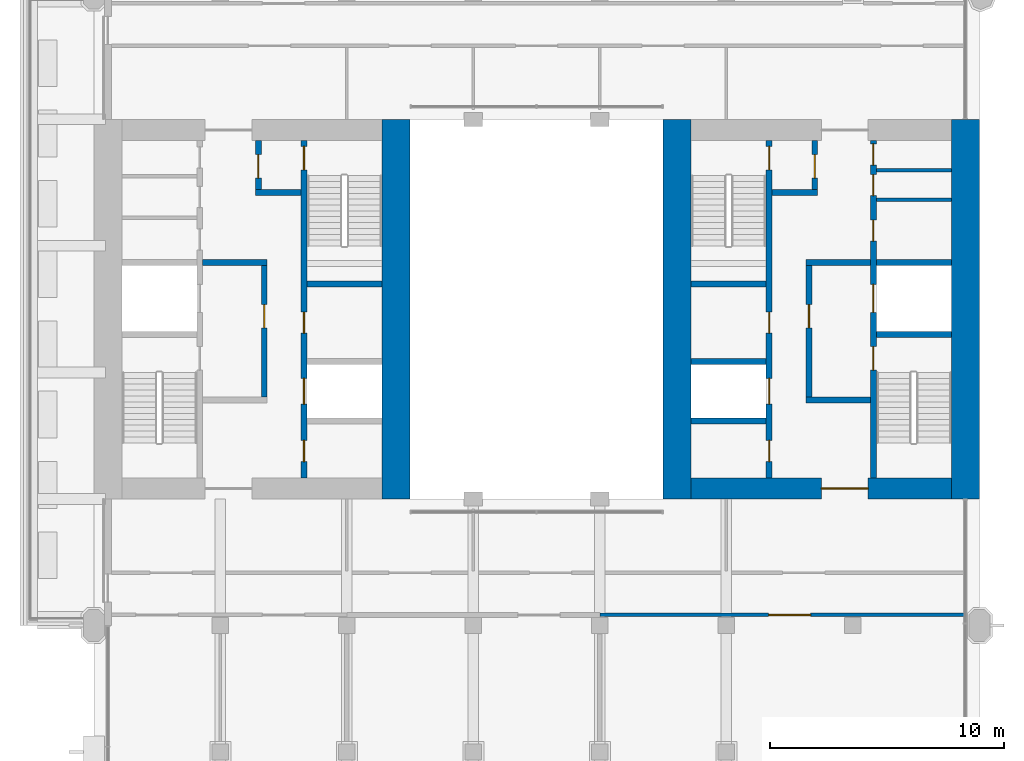
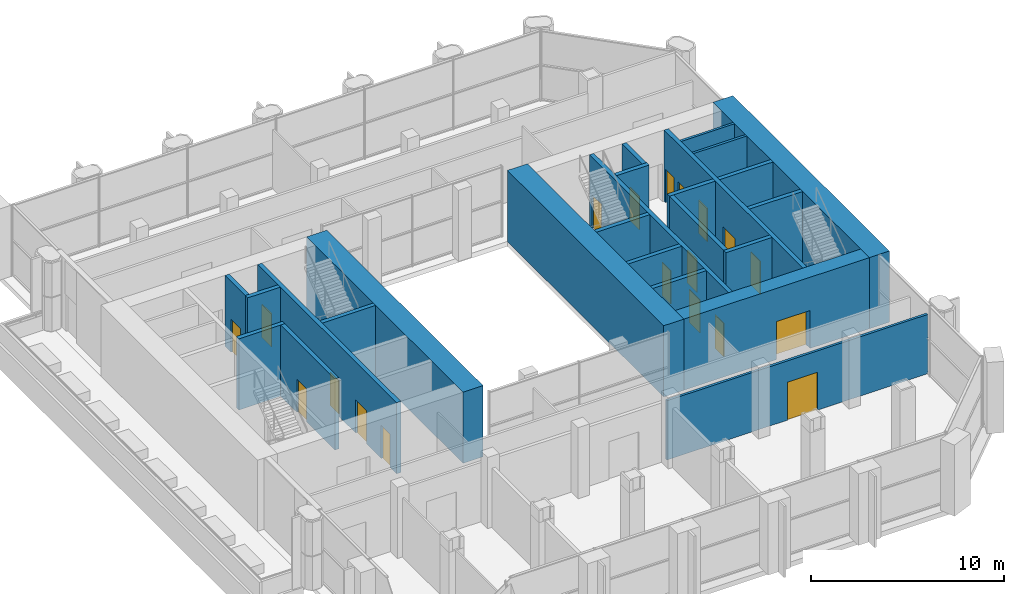
# One storey, part 10 of 14: 25 walls, 19 doors, 19 openings.
"""IFC4 building model written with IfcOpenShell, lengths in metres."""

from ifc_helpers import new_model, si_unit, direction, frame, frame_2d, origin, place, context, subcontext, project, spatial, rectangle, extrude, material, layer, layer_set, type_object, element, fill, save


model = new_model("IFC4")

# Units and contexts
model_context = context("Model", 3, precision=1e-05, world=origin(), true_north=direction((0.0, 1.0)))
body_context = subcontext(model_context, "Body", "Model", "MODEL_VIEW")
ifc_project = project(units=[si_unit("LENGTHUNIT", "METRE"), si_unit("AREAUNIT", "SQUARE_METRE"), si_unit("VOLUMEUNIT", "CUBIC_METRE"), si_unit("PLANEANGLEUNIT", "RADIAN"), si_unit("MASSUNIT", "GRAM", prefix="KILO")], contexts=[model_context])

# Site, building, storey
site_placement = place(None, origin())
site = spatial("IfcSite", under=ifc_project, at=site_placement, CompositionType="ELEMENT")
building_placement = place(site_placement, origin())
building = spatial("IfcBuilding", under=site, at=building_placement, Name="Tabaq Tower and Sports Hall", CompositionType="ELEMENT")
storey_placement = place(building_placement, frame((0.0, 0.0, 250.89990234375)))
storey = spatial("IfcBuildingStorey", under=building, at=storey_placement, Name="L61", CompositionType="ELEMENT", Elevation=250.89990234375)

# Walls
ifc_material_1 = material(Name="Blockwork", Category="masonry")
ifc_layer_1 = layer(ifc_material_1, 0.14990234375)
ifc_layer_set_1 = layer_set([ifc_layer_1], Name="Core room partition 150 Blockwork")
wall_type_1 = type_object("IfcWallType", Name="Core room partition 150 Blockwork", PredefinedType="PARTITIONING", material=ifc_layer_set_1)
for number, where, z_axis, x_axis, name in (
    (1, (38.800048828125, 28.962890625, 0.0), (0.0, 0.0, 1.0), (1.0, 0.0, 0.0), "Core room partition E L61"),
    (2, (38.800048828125, 30.23193359375, 0.0), (0.0, 0.0, 1.0), (1.0, 0.0, 0.0), "Core room partition E L61"),
):
    element("IfcWall", number, at=place(storey_placement, frame(where, z_axis=z_axis, x_axis=x_axis)), inside=storey, type_object=wall_type_1, Name=name, PredefinedType="PARTITIONING", context=body_context, shape_type="SweptSolid", body=[
        extrude(rectangle(XDim=3.199951171875, YDim=0.14990234375, at=frame_2d((1.60009765625, 0.0))), origin(), (0.0, 0.0, 1.0), 4.5),
    ])
ifc_material_2 = material(Name="Concrete C40/50", Category="concrete")
ifc_layer_2 = layer(ifc_material_2, 1.199951171875)
ifc_layer_set_2 = layer_set([ifc_layer_2], Name="Core wall 1200 Concrete C40/50")
wall_type_2 = type_object("IfcWallType", Name="Core wall 1200 Concrete C40/50", PredefinedType="SOLIDWALL", material=ifc_layer_set_2)
for number, where, z_axis, x_axis, name in (
    (3, (18.300048828125, 32.39990234375, 0.0), (0.0, 0.0, 1.0), (0.0, -1.0, 0.0), "Core wall W L61"),
    (4, (42.60009765625, 32.39990234375, 0.0), (0.0, 0.0, 1.0), (0.0, -1.0, 0.0), "Core wall E L61"),
    (5, (30.300048828125, 16.199951171875, 0.0), (0.0, 0.0, 1.0), (0.0, 1.0, 0.0), "Core wall E L61"),
):
    element("IfcWall", number, at=place(storey_placement, frame(where, z_axis=z_axis, x_axis=x_axis)), inside=storey, type_object=wall_type_2, Name=name, PredefinedType="SOLIDWALL", context=body_context, shape_type="SweptSolid", body=[
        extrude(rectangle(XDim=16.199951171875, YDim=1.199951171875, at=frame_2d((8.10009765625, 0.0))), origin(), (0.0, 0.0, 1.0), 4.5),
    ])

# Wall, opening, door
ifc_material_3 = material(Name="Concrete C40/50", Category="concrete")
ifc_layer_3 = layer(ifc_material_3, 0.89990234375)
ifc_layer_set_3 = layer_set([ifc_layer_3], Name="Core wall 900 Concrete C40/50")
wall_type_3 = type_object("IfcWallType", Name="Core wall 900 Concrete C40/50", PredefinedType="SOLIDWALL", material=ifc_layer_set_3)
wall_1_placement = place(storey_placement, frame((42.0, 16.64990234375, 0.0), z_axis=(0.0, 0.0, 1.0), x_axis=(-1.0, 0.0, 0.0)))
wall_1 = element("IfcWall", 6, at=wall_1_placement, inside=storey, type_object=wall_type_3, Name="Core wall E L61", PredefinedType="SOLIDWALL", context=body_context, shape_type="SweptSolid", body=[
    extrude(rectangle(XDim=11.10009765625, YDim=0.89990234375, at=frame_2d((5.550048828125, 0.0))), origin(), (0.0, 0.0, 1.0), 4.5),
])
opening_1_placement = place(wall_1_placement, frame((3.550048828125, 0.0, 0.0)))
opening_1 = element("IfcOpeningElement", 7, at=opening_1_placement, cuts=wall_1, Name="Opening PD-EL61-01", PredefinedType="OPENING", context=body_context, shape_type="SweptSolid", body=[
    extrude(rectangle(XDim=2.0, YDim=2.39990234375, at=frame_2d((1.0, 1.199951171875))), frame((0.0, 0.449951171875, 0.0), z_axis=(0.0, -1.0, 0.0), x_axis=(1.0, 0.0, 0.0)), (0.0, 0.0, 1.0), 0.89990234375),
])
ifc_material_4 = material(Name="Steel fire door", Category="steel")
door_type_1 = type_object("IfcDoorType", Name="Core entrance door 2000", OperationType="DOUBLE_DOOR_SINGLE_SWING", PredefinedType="DOOR", material=ifc_material_4)
door_1_placement = place(opening_1_placement, origin())
door_1 = element("IfcDoor", 8, at=door_1_placement, inside=storey, type_object=door_type_1, Name="Core entrance south E L61", OperationType="DOUBLE_DOOR_SINGLE_SWING", OverallHeight=2.39990234375, OverallWidth=2.0, PredefinedType="DOOR", context=body_context, shape_type="SweptSolid", body=[
    extrude(rectangle(XDim=2.0, YDim=2.39990234375, at=frame_2d((1.0, 1.199951171875))), frame((0.0, 0.02490234375, 0.0), z_axis=(0.0, -1.0, 0.0), x_axis=(1.0, 0.0, 0.0)), (0.0, 0.0, 1.0), 0.050048828125),
])
fill(opening_1, door_1)

ifc_material_5 = material(Name="Blockwork", Category="masonry")
ifc_layer_4 = layer(ifc_material_5, 0.14990234375)
ifc_layer_set_4 = layer_set([ifc_layer_4], Name="Separating wall 150 Blockwork")
wall_type_4 = type_object("IfcWallType", Name="Separating wall 150 Blockwork", PredefinedType="PARTITIONING", material=ifc_layer_set_4)
wall_2_placement = place(storey_placement, frame((42.60009765625, 11.25, 0.0), z_axis=(0.0, 0.0, 1.0), x_axis=(-1.0, 0.0, 0.0)))
wall_2 = element("IfcWall", 9, at=wall_2_placement, inside=storey, type_object=wall_type_4, Name="Separating wall L61", PredefinedType="PARTITIONING", context=body_context, shape_type="SweptSolid", body=[
    extrude(rectangle(XDim=15.60009765625, YDim=0.14990234375, at=frame_2d((7.800048828125, 0.0))), origin(), (0.0, 0.0, 1.0), 3.75),
])
opening_2_placement = place(wall_2_placement, frame((6.60009765625, 0.0, 0.0)))
opening_2 = element("IfcOpeningElement", 10, at=opening_2_placement, cuts=wall_2, Name="Opening L61-006", PredefinedType="OPENING", context=body_context, shape_type="SweptSolid", body=[
    extrude(rectangle(XDim=1.800048828125, YDim=2.39990234375, at=frame_2d((0.89990234375, 1.199951171875))), frame((0.0, 0.074951171875, 0.0), z_axis=(0.0, -1.0, 0.0), x_axis=(1.0, 0.0, 0.0)), (0.0, 0.0, 1.0), 0.14990234375),
])
ifc_material_6 = material(Name="Timber leaf in steel frame", Category="steel")
door_type_2 = type_object("IfcDoorType", Name="Internal door 1800", OperationType="DOUBLE_DOOR_SINGLE_SWING", PredefinedType="DOOR", material=ifc_material_6)
door_2_placement = place(opening_2_placement, origin())
door_2 = element("IfcDoor", 11, at=door_2_placement, inside=storey, type_object=door_type_2, Name="Internal door L61-006", OperationType="DOUBLE_DOOR_SINGLE_SWING", OverallHeight=2.39990234375, OverallWidth=1.800048828125, PredefinedType="DOOR", context=body_context, shape_type="SweptSolid", body=[
    extrude(rectangle(XDim=1.800048828125, YDim=2.39990234375, at=frame_2d((0.89990234375, 1.199951171875))), frame((0.0, 0.02490234375, 0.0), z_axis=(0.0, -1.0, 0.0), x_axis=(1.0, 0.0, 0.0)), (0.0, 0.0, 1.0), 0.050048828125),
])
fill(opening_2, door_2)

# Wall, openings, doors
ifc_material_7 = material(Name="Concrete C40/50", Category="concrete")
ifc_layer_5 = layer(ifc_material_7, 0.25)
ifc_layer_set_5 = layer_set([ifc_layer_5], Name="Shaft and stair wall 250 Concrete C40/50")
wall_type_5 = type_object("IfcWallType", Name="Shaft and stair wall 250 Concrete C40/50", PredefinedType="SOLIDWALL", material=ifc_layer_set_5)
wall_3_placement = place(storey_placement, frame((14.375, 17.10009765625, 0.0), z_axis=(0.0, 0.0, 1.0), x_axis=(0.0, 1.0, 0.0)))
wall_3 = element("IfcWall", 12, at=wall_3_placement, inside=storey, type_object=wall_type_5, Name="Shaft wall W L61", PredefinedType="SOLIDWALL", context=body_context, shape_type="SweptSolid", body=[
    extrude(rectangle(XDim=14.39990234375, YDim=0.25, at=frame_2d((7.199951171875, 0.0))), origin(), (0.0, 0.0, 1.0), 4.5),
])
opening_3_placement = place(wall_3_placement, frame((13.14990234375, 0.0, 0.0)))
opening_3 = element("IfcOpeningElement", 13, at=opening_3_placement, cuts=wall_3, Name="Opening SD-WL61-05", PredefinedType="OPENING", context=body_context, shape_type="SweptSolid", body=[
    extrude(rectangle(XDim=1.0, YDim=2.10009765625, at=frame_2d((0.5, 1.050048828125))), frame((0.0, 0.125, 0.0), z_axis=(0.0, -1.0, 0.0), x_axis=(1.0, 0.0, 0.0)), (0.0, 0.0, 1.0), 0.25),
])
opening_4_placement = place(wall_3_placement, frame((3.14990234375, 0.0, 0.0)))
opening_4 = element("IfcOpeningElement", 14, at=opening_4_placement, cuts=wall_3, Name="Opening LD-HR1-L61", PredefinedType="OPENING", context=body_context, shape_type="SweptSolid", body=[
    extrude(rectangle(XDim=1.10009765625, YDim=2.10009765625, at=frame_2d((0.550048828125, 1.050048828125))), frame((0.0, 0.125, 0.0), z_axis=(0.0, -1.0, 0.0), x_axis=(1.0, 0.0, 0.0)), (0.0, 0.0, 1.0), 0.25),
])
opening_5_placement = place(wall_3_placement, frame((0.699951171875, 0.0, 0.0)))
opening_5 = element("IfcOpeningElement", 15, at=opening_5_placement, cuts=wall_3, Name="Opening RD-WL61-12", PredefinedType="OPENING", context=body_context, shape_type="SweptSolid", body=[
    extrude(rectangle(XDim=0.89990234375, YDim=2.10009765625, at=frame_2d((0.449951171875, 1.050048828125))), frame((0.0, 0.125, 0.0), z_axis=(0.0, -1.0, 0.0), x_axis=(1.0, 0.0, 0.0)), (0.0, 0.0, 1.0), 0.25),
])
opening_6_placement = place(wall_3_placement, frame((6.175048828125, 0.0, 0.0)))
opening_6 = element("IfcOpeningElement", 16, at=opening_6_placement, cuts=wall_3, Name="Opening RD-WL61-13", PredefinedType="OPENING", context=body_context, shape_type="SweptSolid", body=[
    extrude(rectangle(XDim=0.89990234375, YDim=2.10009765625, at=frame_2d((0.449951171875, 1.050048828125))), frame((0.0, 0.125, 0.0), z_axis=(0.0, -1.0, 0.0), x_axis=(1.0, 0.0, 0.0)), (0.0, 0.0, 1.0), 0.25),
])
ifc_material_8 = material(Name="Steel fire door", Category="steel")
door_type_3 = type_object("IfcDoorType", Name="Core room door 900", OperationType="SINGLE_SWING_LEFT", PredefinedType="DOOR", material=ifc_material_8)
door_3_placement = place(opening_5_placement, origin())
door_3 = element("IfcDoor", 17, at=door_3_placement, inside=storey, type_object=door_type_3, Name="Door Electrical Riser Room W L61", OperationType="SINGLE_SWING_LEFT", OverallHeight=2.10009765625, OverallWidth=0.89990234375, PredefinedType="DOOR", context=body_context, shape_type="SweptSolid", body=[
    extrude(rectangle(XDim=0.89990234375, YDim=2.10009765625, at=frame_2d((0.449951171875, 1.050048828125))), frame((0.0, 0.02490234375, 0.0), z_axis=(0.0, -1.0, 0.0), x_axis=(1.0, 0.0, 0.0)), (0.0, 0.0, 1.0), 0.050048828125),
])
fill(opening_5, door_3)
door_4_placement = place(opening_6_placement, origin())
door_4 = element("IfcDoor", 18, at=door_4_placement, inside=storey, type_object=door_type_3, Name="Door Riser Room W L61", OperationType="SINGLE_SWING_LEFT", OverallHeight=2.10009765625, OverallWidth=0.89990234375, PredefinedType="DOOR", context=body_context, shape_type="SweptSolid", body=[
    extrude(rectangle(XDim=0.89990234375, YDim=2.10009765625, at=frame_2d((0.449951171875, 1.050048828125))), frame((0.0, 0.02490234375, 0.0), z_axis=(0.0, -1.0, 0.0), x_axis=(1.0, 0.0, 0.0)), (0.0, 0.0, 1.0), 0.050048828125),
])
fill(opening_6, door_4)
ifc_material_9 = material(Name="Stainless steel", Category="steel")
door_type_4 = type_object("IfcDoorType", Name="Lift landing door 1100", OperationType="DOUBLE_DOOR_SLIDING", PredefinedType="DOOR", material=ifc_material_9)
door_5_placement = place(opening_4_placement, origin())
door_5 = element("IfcDoor", 19, at=door_5_placement, inside=storey, type_object=door_type_4, Name="Lift landing door HR1 W L61", OperationType="DOUBLE_DOOR_SLIDING", OverallHeight=2.10009765625, OverallWidth=1.10009765625, PredefinedType="DOOR", context=body_context, shape_type="SweptSolid", body=[
    extrude(rectangle(XDim=1.10009765625, YDim=2.10009765625, at=frame_2d((0.550048828125, 1.050048828125))), frame((0.0, 0.02490234375, 0.0), z_axis=(0.0, -1.0, 0.0), x_axis=(1.0, 0.0, 0.0)), (0.0, 0.0, 1.0), 0.050048828125),
])
fill(opening_4, door_5)
ifc_material_10 = material(Name="Steel fire door", Category="steel")
door_type_5 = type_object("IfcDoorType", Name="Stair door 1000", OperationType="SINGLE_SWING_LEFT", PredefinedType="DOOR", material=ifc_material_10)
door_6_placement = place(opening_3_placement, origin())
door_6 = element("IfcDoor", 20, at=door_6_placement, inside=storey, type_object=door_type_5, Name="Stair door ST2 W L61", OperationType="SINGLE_SWING_LEFT", OverallHeight=2.10009765625, OverallWidth=1.0, PredefinedType="DOOR", context=body_context, shape_type="SweptSolid", body=[
    extrude(rectangle(XDim=1.0, YDim=2.10009765625, at=frame_2d((0.5, 1.050048828125))), frame((0.0, 0.02490234375, 0.0), z_axis=(0.0, -1.0, 0.0), x_axis=(1.0, 0.0, 0.0)), (0.0, 0.0, 1.0), 0.050048828125),
])
fill(opening_3, door_6)

# Walls
wall_4_placement = place(storey_placement, frame((14.5, 25.375, 0.0), z_axis=(0.0, 0.0, 1.0), x_axis=(1.0, 0.0, 0.0)))
element("IfcWall", 21, at=wall_4_placement, inside=storey, type_object=wall_type_5, Name="Stair enclosure wall W L61", PredefinedType="SOLIDWALL", context=body_context, shape_type="SweptSolid", body=[
    extrude(rectangle(XDim=3.199951171875, YDim=0.25, at=frame_2d((1.60009765625, 0.0))), origin(), (0.0, 0.0, 1.0), 4.5),
])
wall_5_placement = place(storey_placement, frame((10.050048828125, 26.300048828125, 0.0), z_axis=(0.0, 0.0, 1.0), x_axis=(1.0, 0.0, 0.0)))
element("IfcWall", 22, at=wall_5_placement, inside=storey, type_object=wall_type_5, Name="Fire-fighting lobby wall W L61", PredefinedType="SOLIDWALL", context=body_context, shape_type="SweptSolid", body=[
    extrude(rectangle(XDim=2.75, YDim=0.25, at=frame_2d((1.375, 0.0))), origin(), (0.0, 0.0, 1.0), 4.5),
])

# Wall, opening, door
wall_6_placement = place(storey_placement, frame((12.425048828125, 29.39990234375, 0.0), z_axis=(0.0, 0.0, 1.0), x_axis=(0.0, 1.0, 0.0)))
wall_6 = element("IfcWall", 23, at=wall_6_placement, inside=storey, type_object=wall_type_5, Name="Fire-fighting lobby wall W L61", PredefinedType="SOLIDWALL", context=body_context, shape_type="SweptSolid", body=[
    extrude(rectangle(XDim=2.10009765625, YDim=0.25, at=frame_2d((1.050048828125, 0.0))), origin(), (0.0, 0.0, 1.0), 4.5),
])
opening_7_placement = place(wall_6_placement, frame((0.5, 0.0, 0.0)))
opening_7 = element("IfcOpeningElement", 24, at=opening_7_placement, cuts=wall_6, Name="Opening FD-WL61-06", PredefinedType="OPENING", context=body_context, shape_type="SweptSolid", body=[
    extrude(rectangle(XDim=1.0, YDim=2.10009765625, at=frame_2d((0.5, 1.050048828125))), frame((0.0, 0.125, 0.0), z_axis=(0.0, -1.0, 0.0), x_axis=(1.0, 0.0, 0.0)), (0.0, 0.0, 1.0), 0.25),
])
ifc_material_11 = material(Name="Steel fire door", Category="steel")
door_type_6 = type_object("IfcDoorType", Name="Fire-fighting lobby door 1000", OperationType="SINGLE_SWING_LEFT", PredefinedType="DOOR", material=ifc_material_11)
door_7_placement = place(opening_7_placement, origin())
door_7 = element("IfcDoor", 25, at=door_7_placement, inside=storey, type_object=door_type_6, Name="Stair lobby door W L61", OperationType="SINGLE_SWING_LEFT", OverallHeight=2.10009765625, OverallWidth=1.0, PredefinedType="DOOR", context=body_context, shape_type="SweptSolid", body=[
    extrude(rectangle(XDim=1.0, YDim=2.10009765625, at=frame_2d((0.5, 1.050048828125))), frame((0.0, 0.02490234375, 0.0), z_axis=(0.0, -1.0, 0.0), x_axis=(1.0, 0.0, 0.0)), (0.0, 0.0, 1.0), 0.050048828125),
])
fill(opening_7, door_7)

# Wall
wall_7_placement = place(storey_placement, frame((12.300048828125, 29.27490234375, 0.0), z_axis=(0.0, 0.0, 1.0), x_axis=(1.0, 0.0, 0.0)))
element("IfcWall", 26, at=wall_7_placement, inside=storey, type_object=wall_type_5, Name="Fire-fighting lobby wall W L61", PredefinedType="SOLIDWALL", context=body_context, shape_type="SweptSolid", body=[
    extrude(rectangle(XDim=1.949951171875, YDim=0.25, at=frame_2d((0.97509765625, 0.0))), origin(), (0.0, 0.0, 1.0), 4.5),
])

# Wall, opening, door
wall_8_placement = place(storey_placement, frame((12.675048828125, 20.550048828125, 0.0), z_axis=(0.0, 0.0, 1.0), x_axis=(0.0, 1.0, 0.0)))
wall_8 = element("IfcWall", 27, at=wall_8_placement, inside=storey, type_object=wall_type_5, Name="Fire-fighting lobby wall W L61", PredefinedType="SOLIDWALL", context=body_context, shape_type="SweptSolid", body=[
    extrude(rectangle(XDim=5.625, YDim=0.25, at=frame_2d((2.8125, 0.0))), origin(), (0.0, 0.0, 1.0), 4.5),
])
opening_8_placement = place(wall_8_placement, frame((2.949951171875, 0.0, 0.0)))
opening_8 = element("IfcOpeningElement", 28, at=opening_8_placement, cuts=wall_8, Name="Opening FD-WL61-04", PredefinedType="OPENING", context=body_context, shape_type="SweptSolid", body=[
    extrude(rectangle(XDim=1.0, YDim=2.10009765625, at=frame_2d((0.5, 1.050048828125))), frame((0.0, 0.125, 0.0), z_axis=(0.0, -1.0, 0.0), x_axis=(1.0, 0.0, 0.0)), (0.0, 0.0, 1.0), 0.25),
])
door_8_placement = place(opening_8_placement, origin())
door_8 = element("IfcDoor", 29, at=door_8_placement, inside=storey, type_object=door_type_6, Name="Fire-fighting lobby door W L61", OperationType="SINGLE_SWING_LEFT", OverallHeight=2.10009765625, OverallWidth=1.0, PredefinedType="DOOR", context=body_context, shape_type="SweptSolid", body=[
    extrude(rectangle(XDim=1.0, YDim=2.10009765625, at=frame_2d((0.5, 1.050048828125))), frame((0.0, 0.02490234375, 0.0), z_axis=(0.0, -1.0, 0.0), x_axis=(1.0, 0.0, 0.0)), (0.0, 0.0, 1.0), 0.050048828125),
])
fill(opening_8, door_8)

# Wall, openings, doors
wall_9_placement = place(storey_placement, frame((38.675048828125, 17.10009765625, 0.0), z_axis=(0.0, 0.0, 1.0), x_axis=(0.0, 1.0, 0.0)))
wall_9 = element("IfcWall", 30, at=wall_9_placement, inside=storey, type_object=wall_type_5, Name="Shaft wall E L61", PredefinedType="SOLIDWALL", context=body_context, shape_type="SweptSolid", body=[
    extrude(rectangle(XDim=14.39990234375, YDim=0.25, at=frame_2d((7.199951171875, 0.0))), origin(), (0.0, 0.0, 1.0), 4.5),
])
opening_9_placement = place(wall_9_placement, frame((4.60009765625, 0.0, 0.0)))
opening_9 = element("IfcOpeningElement", 31, at=opening_9_placement, cuts=wall_9, Name="Opening SD-EL61-03", PredefinedType="OPENING", context=body_context, shape_type="SweptSolid", body=[
    extrude(rectangle(XDim=1.0, YDim=2.10009765625, at=frame_2d((0.5, 1.050048828125))), frame((0.0, 0.125, 0.0), z_axis=(0.0, -1.0, 0.0), x_axis=(1.0, 0.0, 0.0)), (0.0, 0.0, 1.0), 0.25),
])
opening_10_placement = place(wall_9_placement, frame((7.0625, 0.0, 0.0)))
opening_10 = element("IfcOpeningElement", 32, at=opening_10_placement, cuts=wall_9, Name="Opening LD-FF2-L61", PredefinedType="OPENING", context=body_context, shape_type="SweptSolid", body=[
    extrude(rectangle(XDim=1.199951171875, YDim=2.10009765625, at=frame_2d((0.60009765625, 1.050048828125))), frame((0.0, 0.125, 0.0), z_axis=(0.0, -1.0, 0.0), x_axis=(1.0, 0.0, 0.0)), (0.0, 0.0, 1.0), 0.25),
])
opening_11_placement = place(wall_9_placement, frame((10.1064453125, 0.0, 0.0)))
opening_11 = element("IfcOpeningElement", 33, at=opening_11_placement, cuts=wall_9, Name="Opening RD-EL61-09", PredefinedType="OPENING", context=body_context, shape_type="SweptSolid", body=[
    extrude(rectangle(XDim=0.89990234375, YDim=2.10009765625, at=frame_2d((0.449951171875, 1.050048828125))), frame((0.0, 0.125, 0.0), z_axis=(0.0, -1.0, 0.0), x_axis=(1.0, 0.0, 0.0)), (0.0, 0.0, 1.0), 0.25),
])
opening_12_placement = place(wall_9_placement, frame((12.047607421875, 0.0, 0.0)))
opening_12 = element("IfcOpeningElement", 34, at=opening_12_placement, cuts=wall_9, Name="Opening RD-EL61-10", PredefinedType="OPENING", context=body_context, shape_type="SweptSolid", body=[
    extrude(rectangle(XDim=0.89990234375, YDim=2.10009765625, at=frame_2d((0.449951171875, 1.050048828125))), frame((0.0, 0.125, 0.0), z_axis=(0.0, -1.0, 0.0), x_axis=(1.0, 0.0, 0.0)), (0.0, 0.0, 1.0), 0.25),
])
opening_13_placement = place(wall_9_placement, frame((13.353515625, 0.0, 0.0)))
opening_13 = element("IfcOpeningElement", 35, at=opening_13_placement, cuts=wall_9, Name="Opening RD-EL61-11", PredefinedType="OPENING", context=body_context, shape_type="SweptSolid", body=[
    extrude(rectangle(XDim=0.89990234375, YDim=2.10009765625, at=frame_2d((0.449951171875, 1.050048828125))), frame((0.0, 0.125, 0.0), z_axis=(0.0, -1.0, 0.0), x_axis=(1.0, 0.0, 0.0)), (0.0, 0.0, 1.0), 0.25),
])
door_9_placement = place(opening_11_placement, origin())
door_9 = element("IfcDoor", 36, at=door_9_placement, inside=storey, type_object=door_type_3, Name="Door Unisex WC E L61", OperationType="SINGLE_SWING_LEFT", OverallHeight=2.10009765625, OverallWidth=0.89990234375, PredefinedType="DOOR", context=body_context, shape_type="SweptSolid", body=[
    extrude(rectangle(XDim=0.89990234375, YDim=2.10009765625, at=frame_2d((0.449951171875, 1.050048828125))), frame((0.0, 0.02490234375, 0.0), z_axis=(0.0, -1.0, 0.0), x_axis=(1.0, 0.0, 0.0)), (0.0, 0.0, 1.0), 0.050048828125),
])
fill(opening_11, door_9)
door_10_placement = place(opening_12_placement, origin())
door_10 = element("IfcDoor", 37, at=door_10_placement, inside=storey, type_object=door_type_3, Name="Door Cleaner's Store E L61", OperationType="SINGLE_SWING_LEFT", OverallHeight=2.10009765625, OverallWidth=0.89990234375, PredefinedType="DOOR", context=body_context, shape_type="SweptSolid", body=[
    extrude(rectangle(XDim=0.89990234375, YDim=2.10009765625, at=frame_2d((0.449951171875, 1.050048828125))), frame((0.0, 0.02490234375, 0.0), z_axis=(0.0, -1.0, 0.0), x_axis=(1.0, 0.0, 0.0)), (0.0, 0.0, 1.0), 0.050048828125),
])
fill(opening_12, door_10)
door_11_placement = place(opening_13_placement, origin())
door_11 = element("IfcDoor", 38, at=door_11_placement, inside=storey, type_object=door_type_3, Name="Door Accessible WC E L61", OperationType="SINGLE_SWING_LEFT", OverallHeight=2.10009765625, OverallWidth=0.89990234375, PredefinedType="DOOR", context=body_context, shape_type="SweptSolid", body=[
    extrude(rectangle(XDim=0.89990234375, YDim=2.10009765625, at=frame_2d((0.449951171875, 1.050048828125))), frame((0.0, 0.02490234375, 0.0), z_axis=(0.0, -1.0, 0.0), x_axis=(1.0, 0.0, 0.0)), (0.0, 0.0, 1.0), 0.050048828125),
])
fill(opening_13, door_11)
ifc_material_12 = material(Name="Stainless steel", Category="steel")
door_type_7 = type_object("IfcDoorType", Name="Lift landing door 1200", OperationType="DOUBLE_DOOR_SLIDING", PredefinedType="DOOR", material=ifc_material_12)
door_12_placement = place(opening_10_placement, origin())
door_12 = element("IfcDoor", 39, at=door_12_placement, inside=storey, type_object=door_type_7, Name="Lift landing door FF2 E L61", OperationType="DOUBLE_DOOR_SLIDING", OverallHeight=2.10009765625, OverallWidth=1.199951171875, PredefinedType="DOOR", context=body_context, shape_type="SweptSolid", body=[
    extrude(rectangle(XDim=1.199951171875, YDim=2.10009765625, at=frame_2d((0.60009765625, 1.050048828125))), frame((0.0, 0.02490234375, 0.0), z_axis=(0.0, -1.0, 0.0), x_axis=(1.0, 0.0, 0.0)), (0.0, 0.0, 1.0), 0.050048828125),
])
fill(opening_10, door_12)
door_13_placement = place(opening_9_placement, origin())
door_13 = element("IfcDoor", 40, at=door_13_placement, inside=storey, type_object=door_type_5, Name="Stair door ST3 E L61", OperationType="SINGLE_SWING_LEFT", OverallHeight=2.10009765625, OverallWidth=1.0, PredefinedType="DOOR", context=body_context, shape_type="SweptSolid", body=[
    extrude(rectangle(XDim=1.0, YDim=2.10009765625, at=frame_2d((0.5, 1.050048828125))), frame((0.0, 0.02490234375, 0.0), z_axis=(0.0, -1.0, 0.0), x_axis=(1.0, 0.0, 0.0)), (0.0, 0.0, 1.0), 0.050048828125),
])
fill(opening_9, door_13)

wall_10_placement = place(storey_placement, frame((34.22509765625, 17.10009765625, 0.0), z_axis=(0.0, 0.0, 1.0), x_axis=(0.0, 1.0, 0.0)))
wall_10 = element("IfcWall", 41, at=wall_10_placement, inside=storey, type_object=wall_type_5, Name="Shaft wall E L61", PredefinedType="SOLIDWALL", context=body_context, shape_type="SweptSolid", body=[
    extrude(rectangle(XDim=14.39990234375, YDim=0.25, at=frame_2d((7.199951171875, 0.0))), origin(), (0.0, 0.0, 1.0), 4.5),
])
opening_14_placement = place(wall_10_placement, frame((13.14990234375, 0.0, 0.0)))
opening_14 = element("IfcOpeningElement", 42, at=opening_14_placement, cuts=wall_10, Name="Opening SD-EL61-05", PredefinedType="OPENING", context=body_context, shape_type="SweptSolid", body=[
    extrude(rectangle(XDim=1.0, YDim=2.10009765625, at=frame_2d((0.5, 1.050048828125))), frame((0.0, 0.125, 0.0), z_axis=(0.0, -1.0, 0.0), x_axis=(1.0, 0.0, 0.0)), (0.0, 0.0, 1.0), 0.25),
])
opening_15_placement = place(wall_10_placement, frame((3.14990234375, 0.0, 0.0)))
opening_15 = element("IfcOpeningElement", 43, at=opening_15_placement, cuts=wall_10, Name="Opening LD-HR2-L61", PredefinedType="OPENING", context=body_context, shape_type="SweptSolid", body=[
    extrude(rectangle(XDim=1.10009765625, YDim=2.10009765625, at=frame_2d((0.550048828125, 1.050048828125))), frame((0.0, 0.125, 0.0), z_axis=(0.0, -1.0, 0.0), x_axis=(1.0, 0.0, 0.0)), (0.0, 0.0, 1.0), 0.25),
])
opening_16_placement = place(wall_10_placement, frame((0.699951171875, 0.0, 0.0)))
opening_16 = element("IfcOpeningElement", 44, at=opening_16_placement, cuts=wall_10, Name="Opening RD-EL61-12", PredefinedType="OPENING", context=body_context, shape_type="SweptSolid", body=[
    extrude(rectangle(XDim=0.89990234375, YDim=2.10009765625, at=frame_2d((0.449951171875, 1.050048828125))), frame((0.0, 0.125, 0.0), z_axis=(0.0, -1.0, 0.0), x_axis=(1.0, 0.0, 0.0)), (0.0, 0.0, 1.0), 0.25),
])
opening_17_placement = place(wall_10_placement, frame((6.175048828125, 0.0, 0.0)))
opening_17 = element("IfcOpeningElement", 45, at=opening_17_placement, cuts=wall_10, Name="Opening RD-EL61-13", PredefinedType="OPENING", context=body_context, shape_type="SweptSolid", body=[
    extrude(rectangle(XDim=0.89990234375, YDim=2.10009765625, at=frame_2d((0.449951171875, 1.050048828125))), frame((0.0, 0.125, 0.0), z_axis=(0.0, -1.0, 0.0), x_axis=(1.0, 0.0, 0.0)), (0.0, 0.0, 1.0), 0.25),
])
door_14_placement = place(opening_16_placement, origin())
door_14 = element("IfcDoor", 46, at=door_14_placement, inside=storey, type_object=door_type_3, Name="Door Electrical Riser Room E L61", OperationType="SINGLE_SWING_LEFT", OverallHeight=2.10009765625, OverallWidth=0.89990234375, PredefinedType="DOOR", context=body_context, shape_type="SweptSolid", body=[
    extrude(rectangle(XDim=0.89990234375, YDim=2.10009765625, at=frame_2d((0.449951171875, 1.050048828125))), frame((0.0, 0.02490234375, 0.0), z_axis=(0.0, -1.0, 0.0), x_axis=(1.0, 0.0, 0.0)), (0.0, 0.0, 1.0), 0.050048828125),
])
fill(opening_16, door_14)
door_15_placement = place(opening_17_placement, origin())
door_15 = element("IfcDoor", 47, at=door_15_placement, inside=storey, type_object=door_type_3, Name="Door Riser Room E L61", OperationType="SINGLE_SWING_LEFT", OverallHeight=2.10009765625, OverallWidth=0.89990234375, PredefinedType="DOOR", context=body_context, shape_type="SweptSolid", body=[
    extrude(rectangle(XDim=0.89990234375, YDim=2.10009765625, at=frame_2d((0.449951171875, 1.050048828125))), frame((0.0, 0.02490234375, 0.0), z_axis=(0.0, -1.0, 0.0), x_axis=(1.0, 0.0, 0.0)), (0.0, 0.0, 1.0), 0.050048828125),
])
fill(opening_17, door_15)
door_16_placement = place(opening_15_placement, origin())
door_16 = element("IfcDoor", 48, at=door_16_placement, inside=storey, type_object=door_type_4, Name="Lift landing door HR2 E L61", OperationType="DOUBLE_DOOR_SLIDING", OverallHeight=2.10009765625, OverallWidth=1.10009765625, PredefinedType="DOOR", context=body_context, shape_type="SweptSolid", body=[
    extrude(rectangle(XDim=1.10009765625, YDim=2.10009765625, at=frame_2d((0.550048828125, 1.050048828125))), frame((0.0, 0.02490234375, 0.0), z_axis=(0.0, -1.0, 0.0), x_axis=(1.0, 0.0, 0.0)), (0.0, 0.0, 1.0), 0.050048828125),
])
fill(opening_15, door_16)
door_17_placement = place(opening_14_placement, origin())
door_17 = element("IfcDoor", 49, at=door_17_placement, inside=storey, type_object=door_type_5, Name="Stair door ST4 E L61", OperationType="SINGLE_SWING_LEFT", OverallHeight=2.10009765625, OverallWidth=1.0, PredefinedType="DOOR", context=body_context, shape_type="SweptSolid", body=[
    extrude(rectangle(XDim=1.0, YDim=2.10009765625, at=frame_2d((0.5, 1.050048828125))), frame((0.0, 0.02490234375, 0.0), z_axis=(0.0, -1.0, 0.0), x_axis=(1.0, 0.0, 0.0)), (0.0, 0.0, 1.0), 0.050048828125),
])
fill(opening_14, door_17)

# Walls
wall_11_placement = place(storey_placement, frame((38.800048828125, 23.22509765625, 0.0), z_axis=(0.0, 0.0, 1.0), x_axis=(1.0, 0.0, 0.0)))
element("IfcWall", 50, at=wall_11_placement, inside=storey, type_object=wall_type_5, Name="Stair enclosure wall E L61", PredefinedType="SOLIDWALL", context=body_context, shape_type="SweptSolid", body=[
    extrude(rectangle(XDim=3.199951171875, YDim=0.25, at=frame_2d((1.60009765625, 0.0))), origin(), (0.0, 0.0, 1.0), 4.5),
])
for number, where, z_axis, x_axis, name in (
    (51, (30.89990234375, 25.375, 0.0), (0.0, 0.0, 1.0), (1.0, 0.0, 0.0), "Stair enclosure wall E L61"),
    (52, (30.89990234375, 22.074951171875, 0.0), (0.0, 0.0, 1.0), (1.0, 0.0, 0.0), "Shaft wall E L61"),
):
    element("IfcWall", number, at=place(storey_placement, frame(where, z_axis=z_axis, x_axis=x_axis)), inside=storey, type_object=wall_type_5, Name=name, PredefinedType="SOLIDWALL", context=body_context, shape_type="SweptSolid", body=[
        extrude(rectangle(XDim=3.2001953125, YDim=0.25, at=frame_2d((1.60009765625, 0.0))), origin(), (0.0, 0.0, 1.0), 4.5),
    ])
wall_12_placement = place(storey_placement, frame((38.800048828125, 26.300048828125, 0.0), z_axis=(0.0, 0.0, 1.0), x_axis=(1.0, 0.0, 0.0)))
element("IfcWall", 53, at=wall_12_placement, inside=storey, type_object=wall_type_5, Name="Shaft wall E L61", PredefinedType="SOLIDWALL", context=body_context, shape_type="SweptSolid", body=[
    extrude(rectangle(XDim=3.199951171875, YDim=0.25, at=frame_2d((1.60009765625, 0.0))), origin(), (0.0, 0.0, 1.0), 4.5),
])
for number, where, z_axis, x_axis, name in (
    (54, (35.800048828125, 26.300048828125, 0.0), (0.0, 0.0, 1.0), (1.0, 0.0, 0.0), "Fire-fighting lobby wall E L61"),
    (55, (35.800048828125, 20.425048828125, 0.0), (0.0, 0.0, 1.0), (1.0, 0.0, 0.0), "Fire-fighting lobby wall E L61"),
):
    element("IfcWall", number, at=place(storey_placement, frame(where, z_axis=z_axis, x_axis=x_axis)), inside=storey, type_object=wall_type_5, Name=name, PredefinedType="SOLIDWALL", context=body_context, shape_type="SweptSolid", body=[
        extrude(rectangle(XDim=2.75, YDim=0.25, at=frame_2d((1.375, 0.0))), origin(), (0.0, 0.0, 1.0), 4.5),
    ])

# Wall, opening, door
wall_13_placement = place(storey_placement, frame((36.175048828125, 29.39990234375, 0.0), z_axis=(0.0, 0.0, 1.0), x_axis=(0.0, 1.0, 0.0)))
wall_13 = element("IfcWall", 56, at=wall_13_placement, inside=storey, type_object=wall_type_5, Name="Fire-fighting lobby wall E L61", PredefinedType="SOLIDWALL", context=body_context, shape_type="SweptSolid", body=[
    extrude(rectangle(XDim=2.10009765625, YDim=0.25, at=frame_2d((1.050048828125, 0.0))), origin(), (0.0, 0.0, 1.0), 4.5),
])
opening_18_placement = place(wall_13_placement, frame((0.5, 0.0, 0.0)))
opening_18 = element("IfcOpeningElement", 57, at=opening_18_placement, cuts=wall_13, Name="Opening FD-EL61-06", PredefinedType="OPENING", context=body_context, shape_type="SweptSolid", body=[
    extrude(rectangle(XDim=1.0, YDim=2.10009765625, at=frame_2d((0.5, 1.050048828125))), frame((0.0, 0.125, 0.0), z_axis=(0.0, -1.0, 0.0), x_axis=(1.0, 0.0, 0.0)), (0.0, 0.0, 1.0), 0.25),
])
door_18_placement = place(opening_18_placement, origin())
door_18 = element("IfcDoor", 58, at=door_18_placement, inside=storey, type_object=door_type_6, Name="Stair lobby door E L61", OperationType="SINGLE_SWING_LEFT", OverallHeight=2.10009765625, OverallWidth=1.0, PredefinedType="DOOR", context=body_context, shape_type="SweptSolid", body=[
    extrude(rectangle(XDim=1.0, YDim=2.10009765625, at=frame_2d((0.5, 1.050048828125))), frame((0.0, 0.02490234375, 0.0), z_axis=(0.0, -1.0, 0.0), x_axis=(1.0, 0.0, 0.0)), (0.0, 0.0, 1.0), 0.050048828125),
])
fill(opening_18, door_18)

# Wall
wall_14_placement = place(storey_placement, frame((34.35009765625, 29.27490234375, 0.0), z_axis=(0.0, 0.0, 1.0), x_axis=(1.0, 0.0, 0.0)))
element("IfcWall", 59, at=wall_14_placement, inside=storey, type_object=wall_type_5, Name="Fire-fighting lobby wall E L61", PredefinedType="SOLIDWALL", context=body_context, shape_type="SweptSolid", body=[
    extrude(rectangle(XDim=1.949951171875, YDim=0.25, at=frame_2d((0.97509765625, 0.0))), origin(), (0.0, 0.0, 1.0), 4.5),
])

# Wall, opening, door
wall_15_placement = place(storey_placement, frame((35.925048828125, 20.550048828125, 0.0), z_axis=(0.0, 0.0, 1.0), x_axis=(0.0, 1.0, 0.0)))
wall_15 = element("IfcWall", 60, at=wall_15_placement, inside=storey, type_object=wall_type_5, Name="Fire-fighting lobby wall E L61", PredefinedType="SOLIDWALL", context=body_context, shape_type="SweptSolid", body=[
    extrude(rectangle(XDim=5.625, YDim=0.25, at=frame_2d((2.8125, 0.0))), origin(), (0.0, 0.0, 1.0), 4.5),
])
opening_19_placement = place(wall_15_placement, frame((2.949951171875, 0.0, 0.0)))
opening_19 = element("IfcOpeningElement", 61, at=opening_19_placement, cuts=wall_15, Name="Opening FD-EL61-04", PredefinedType="OPENING", context=body_context, shape_type="SweptSolid", body=[
    extrude(rectangle(XDim=1.0, YDim=2.10009765625, at=frame_2d((0.5, 1.050048828125))), frame((0.0, 0.125, 0.0), z_axis=(0.0, -1.0, 0.0), x_axis=(1.0, 0.0, 0.0)), (0.0, 0.0, 1.0), 0.25),
])
door_19_placement = place(opening_19_placement, origin())
door_19 = element("IfcDoor", 62, at=door_19_placement, inside=storey, type_object=door_type_6, Name="Fire-fighting lobby door E L61", OperationType="SINGLE_SWING_LEFT", OverallHeight=2.10009765625, OverallWidth=1.0, PredefinedType="DOOR", context=body_context, shape_type="SweptSolid", body=[
    extrude(rectangle(XDim=1.0, YDim=2.10009765625, at=frame_2d((0.5, 1.050048828125))), frame((0.0, 0.02490234375, 0.0), z_axis=(0.0, -1.0, 0.0), x_axis=(1.0, 0.0, 0.0)), (0.0, 0.0, 1.0), 0.050048828125),
])
fill(opening_19, door_19)

# Wall
wall_16_placement = place(storey_placement, frame((30.89990234375, 19.52490234375, 0.0), z_axis=(0.0, 0.0, 1.0), x_axis=(1.0, 0.0, 0.0)))
element("IfcWall", 63, at=wall_16_placement, inside=storey, type_object=wall_type_5, Name="Shaft wall E L61", PredefinedType="SOLIDWALL", context=body_context, shape_type="SweptSolid", body=[
    extrude(rectangle(XDim=3.2001953125, YDim=0.25, at=frame_2d((1.60009765625, 0.0))), origin(), (0.0, 0.0, 1.0), 4.5),
])

save(model, "model.ifc")
